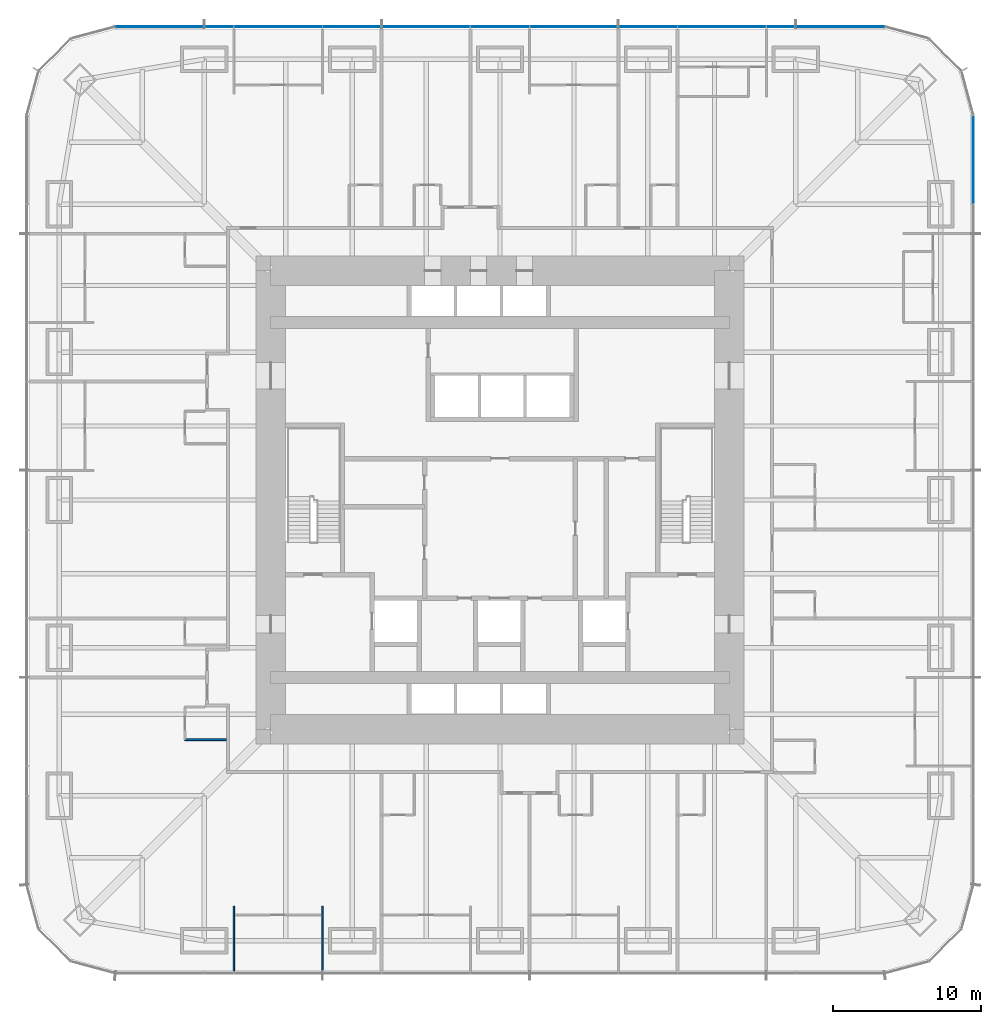
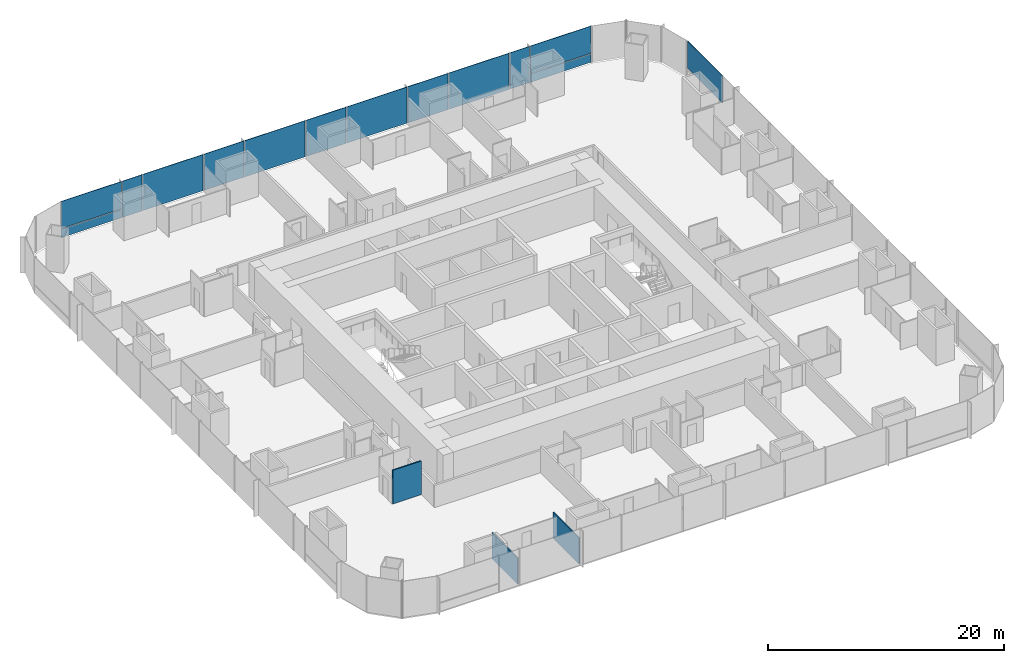
# One storey, part 14 of 20: 14 plates, 3 walls, 2 elements without a shape of their own.
"""IFC4 building model written with IfcOpenShell, lengths in metres."""

from ifc_helpers import new_model, si_unit, direction, frame, frame_2d, origin, origin_2d, place, context, subcontext, project, spatial, rectangle, extrude, material, layer, layer_set, type_object, element, aggregate, save


model = new_model("IFC4")

# Units and contexts
model_context = context("Model", 3, precision=1e-05, world=origin(), true_north=direction((0.0, 1.0)))
body_context = subcontext(model_context, "Body", "Model", "MODEL_VIEW")
ifc_project = project(units=[si_unit("LENGTHUNIT", "METRE"), si_unit("AREAUNIT", "SQUARE_METRE"), si_unit("VOLUMEUNIT", "CUBIC_METRE"), si_unit("PLANEANGLEUNIT", "RADIAN"), si_unit("MASSUNIT", "GRAM", prefix="KILO")], contexts=[model_context])

# Site, building, storey
site_placement = place(None, origin())
site = spatial("IfcSite", under=ifc_project, at=site_placement, CompositionType="ELEMENT")
building_placement = place(site_placement, origin())
building = spatial("IfcBuilding", under=site, at=building_placement, Name="Khuree Lantern Residences", CompositionType="ELEMENT")
storey_placement = place(building_placement, frame((0.0, 0.0, 28.5)))
storey = spatial("IfcBuildingStorey", under=building, at=storey_placement, Name="L06", CompositionType="ELEMENT", Elevation=28.5)

# Curtain wall, plates
ifc_material_1 = material(Name="Bronze anodised aluminium", Category="aluminium")
curtain_wall_type = type_object("IfcCurtainWallType", Name="CW-T1 TOWER FACE CURTAIN WALL", PredefinedType="USERDEFINED", material=ifc_material_1)
curtain_wall_1_placement = place(storey_placement, origin())
curtain_wall_1 = element("IfcCurtainWall", 1, at=curtain_wall_1_placement, inside=storey, type_object=curtain_wall_type, Name="L06 NORTH FACE CURTAIN WALL", ObjectType="Stick-built curtain wall", PredefinedType="USERDEFINED")
ifc_material_2 = material(Name="Bronze tinted triple glazing with a ceramic-fritted spandrel band", Category="glass")
ifc_layer_1 = layer(ifc_material_2, 0.048095703125)
ifc_layer_set_1 = layer_set([ifc_layer_1], Name="FIXED LIGHT PANEL P11")
plate_type_1 = type_object("IfcPlateType", Name="FIXED LIGHT PANEL P11", PredefinedType="CURTAIN_PANEL", material=ifc_layer_set_1)
plate_1_placement = place(storey_placement, frame((15.0, 32.0, 0.0), z_axis=(0.0, 0.0, 1.0), x_axis=(-1.0, 0.0, 0.0)))
plate_1 = element("IfcPlate", 2, at=plate_1_placement, type_object=plate_type_1, Name="L06 NORTH FACE PANEL 20.1", PredefinedType="CURTAIN_PANEL", context=body_context, shape_type="SweptSolid", body=[
    extrude(rectangle(XDim=5.93505859375, YDim=0.048095703125, at=origin_2d()), origin(), (0.0, 0.0, 1.0), 3.75),
])
plate_2_placement = place(storey_placement, frame((5.0, 32.0, 0.0), z_axis=(0.0, 0.0, 1.0), x_axis=(-1.0, 0.0, 0.0)))
plate_2 = element("IfcPlate", 3, at=plate_2_placement, type_object=plate_type_1, Name="L06 NORTH FACE PANEL 22.1", PredefinedType="CURTAIN_PANEL", context=body_context, shape_type="SweptSolid", body=[
    extrude(rectangle(XDim=5.93505859375, YDim=0.048095703125, at=origin_2d()), origin(), (0.0, 0.0, 1.0), 3.75),
])
plate_3_placement = place(storey_placement, frame((-5.0, 32.0, 0.0), z_axis=(0.0, 0.0, 1.0), x_axis=(-1.0, 0.0, 0.0)))
plate_3 = element("IfcPlate", 4, at=plate_3_placement, type_object=plate_type_1, Name="L06 NORTH FACE PANEL 24.1", PredefinedType="CURTAIN_PANEL", context=body_context, shape_type="SweptSolid", body=[
    extrude(rectangle(XDim=5.93505859375, YDim=0.048095703125, at=origin_2d()), origin(), (0.0, 0.0, 1.0), 3.75),
])
plate_4_placement = place(storey_placement, frame((-15.0, 32.0, 0.0), z_axis=(0.0, 0.0, 1.0), x_axis=(-1.0, 0.0, 0.0)))
plate_4 = element("IfcPlate", 5, at=plate_4_placement, type_object=plate_type_1, Name="L06 NORTH FACE PANEL 26.1", PredefinedType="CURTAIN_PANEL", context=body_context, shape_type="SweptSolid", body=[
    extrude(rectangle(XDim=5.93505859375, YDim=0.048095703125, at=origin_2d()), origin(), (0.0, 0.0, 1.0), 3.75),
])
ifc_material_3 = material(Name="Bronze tinted triple glazing, two aluminium-framed sashes in one frame", Category="aluminium")
ifc_layer_2 = layer(ifc_material_3, 0.048095703125)
ifc_layer_set_2 = layer_set([ifc_layer_2], Name="SASH PAIR PANEL P12")
plate_type_2 = type_object("IfcPlateType", Name="SASH PAIR PANEL P12", PredefinedType="CURTAIN_PANEL", material=ifc_layer_set_2)
plate_5_placement = place(storey_placement, frame((10.0, 32.0, 0.0), z_axis=(0.0, 0.0, 1.0), x_axis=(-1.0, 0.0, 0.0)))
plate_5 = element("IfcPlate", 6, at=plate_5_placement, type_object=plate_type_2, Name="L06 NORTH FACE PANEL 21.1", PredefinedType="CURTAIN_PANEL", context=body_context, shape_type="SweptSolid", body=[
    extrude(rectangle(XDim=3.93505859375, YDim=0.048095703125, at=origin_2d()), origin(), (0.0, 0.0, 1.0), 3.75),
])
plate_6_placement = place(storey_placement, frame((0.0, 32.0, 0.0), z_axis=(0.0, 0.0, 1.0), x_axis=(-1.0, 0.0, 0.0)))
plate_6 = element("IfcPlate", 7, at=plate_6_placement, type_object=plate_type_2, Name="L06 NORTH FACE PANEL 23.1", PredefinedType="CURTAIN_PANEL", context=body_context, shape_type="SweptSolid", body=[
    extrude(rectangle(XDim=3.93505859375, YDim=0.048095703125, at=origin_2d()), origin(), (0.0, 0.0, 1.0), 3.75),
])
plate_7_placement = place(storey_placement, frame((-10.0, 32.0, 0.0), z_axis=(0.0, 0.0, 1.0), x_axis=(-1.0, 0.0, 0.0)))
plate_7 = element("IfcPlate", 8, at=plate_7_placement, type_object=plate_type_2, Name="L06 NORTH FACE PANEL 25.1", PredefinedType="CURTAIN_PANEL", context=body_context, shape_type="SweptSolid", body=[
    extrude(rectangle(XDim=3.93505859375, YDim=0.048095703125, at=origin_2d()), origin(), (0.0, 0.0, 1.0), 3.75),
])
ifc_material_4 = material(Name="Bronze tinted triple glazing, aluminium-framed sash", Category="aluminium")
ifc_layer_3 = layer(ifc_material_4, 0.048095703125)
ifc_layer_set_3 = layer_set([ifc_layer_3], Name="SASH PANEL P3")
plate_type_3 = type_object("IfcPlateType", Name="SASH PANEL P3", PredefinedType="CURTAIN_PANEL", material=ifc_layer_set_3)
plate_8_placement = place(storey_placement, frame((19.0, 32.0, 0.0), z_axis=(0.0, 0.0, 1.0), x_axis=(-1.0, 0.0, 0.0)))
plate_8 = element("IfcPlate", 9, at=plate_8_placement, type_object=plate_type_3, Name="L06 NORTH FACE PANEL 19.1", PredefinedType="CURTAIN_PANEL", context=body_context, shape_type="SweptSolid", body=[
    extrude(rectangle(XDim=1.93505859375, YDim=0.048095703125, at=origin_2d()), origin(), (0.0, 0.0, 1.0), 3.75),
])
plate_9_placement = place(storey_placement, frame((-19.0, 32.0, 0.0), z_axis=(0.0, 0.0, 1.0), x_axis=(-1.0, 0.0, 0.0)))
plate_9 = element("IfcPlate", 10, at=plate_9_placement, type_object=plate_type_3, Name="L06 NORTH FACE PANEL 27.1", PredefinedType="CURTAIN_PANEL", context=body_context, shape_type="SweptSolid", body=[
    extrude(rectangle(XDim=1.93505859375, YDim=0.048095703125, at=origin_2d()), origin(), (0.0, 0.0, 1.0), 3.75),
])
ifc_material_5 = material(Name="Bronze anodised aluminium insulated spandrel", Category="aluminium")
ifc_layer_4 = layer(ifc_material_5, 0.06005859375)
ifc_layer_set_4 = layer_set([ifc_layer_4], Name="SPANDREL PANEL P2")
plate_type_4 = type_object("IfcPlateType", Name="SPANDREL PANEL P2", PredefinedType="CURTAIN_PANEL", material=ifc_layer_set_4)
plate_10_placement = place(storey_placement, frame((22.997802734375, 32.0, 0.0), z_axis=(0.0, 0.0, 1.0), x_axis=(-1.0, 0.0, 0.0)))
plate_10 = element("IfcPlate", 11, at=plate_10_placement, type_object=plate_type_4, Name="L06 NORTH FACE PANEL 18.1", PredefinedType="CURTAIN_PANEL", context=body_context, shape_type="SweptSolid", body=[
    extrude(rectangle(XDim=5.9306640625, YDim=0.06005859375, at=origin_2d()), origin(), (0.0, 0.0, 1.0), 0.867431640625),
])
plate_11_placement = place(storey_placement, frame((-22.997802734375, 32.0, 0.0), z_axis=(0.0, 0.0, 1.0), x_axis=(-1.0, 0.0, 0.0)))
plate_11 = element("IfcPlate", 12, at=plate_11_placement, type_object=plate_type_4, Name="L06 NORTH FACE PANEL 28.1", PredefinedType="CURTAIN_PANEL", context=body_context, shape_type="SweptSolid", body=[
    extrude(rectangle(XDim=5.9306640625, YDim=0.06005859375, at=origin_2d()), origin(), (0.0, 0.0, 1.0), 0.867431640625),
])

# Curtain wall, plate
curtain_wall_2_placement = place(storey_placement, origin())
curtain_wall_2 = element("IfcCurtainWall", 13, at=curtain_wall_2_placement, inside=storey, type_object=curtain_wall_type, Name="L06 EAST FACE CURTAIN WALL", ObjectType="Stick-built curtain wall", PredefinedType="USERDEFINED")
ifc_material_6 = material(Name="Bronze tinted triple glazing", Category="glass")
ifc_layer_5 = layer(ifc_material_6, 0.048095703125)
ifc_layer_set_5 = layer_set([ifc_layer_5], Name="VISION PANEL P1")
plate_type_5 = type_object("IfcPlateType", Name="VISION PANEL P1", PredefinedType="CURTAIN_PANEL", material=ifc_layer_set_5)
plate_12_placement = place(storey_placement, frame((32.0, 22.998291015625, 0.9326171875), z_axis=(0.0, 0.0, 1.0), x_axis=(0.0, 1.0, 0.0)))
plate_12 = element("IfcPlate", 14, at=plate_12_placement, type_object=plate_type_5, Name="L06 EAST FACE PANEL 14.2", PredefinedType="CURTAIN_PANEL", context=body_context, shape_type="SweptSolid", body=[
    extrude(rectangle(XDim=5.931640625, YDim=0.048095703125, at=origin_2d()), origin(), (0.0, 0.0, 1.0), 2.8173828125),
])
aggregate(curtain_wall_2, [plate_12])

# Plate
plate_13_placement = place(storey_placement, frame((22.998291015625, 32.0, 0.9326171875), z_axis=(0.0, 0.0, 1.0), x_axis=(-1.0, 0.0, 0.0)))
plate_13 = element("IfcPlate", 15, at=plate_13_placement, type_object=plate_type_5, Name="L06 NORTH FACE PANEL 18.2", PredefinedType="CURTAIN_PANEL", context=body_context, shape_type="SweptSolid", body=[
    extrude(rectangle(XDim=5.931640625, YDim=0.048095703125, at=origin_2d()), origin(), (0.0, 0.0, 1.0), 2.8173828125),
])

plate_14_placement = place(storey_placement, frame((-22.998291015625, 32.0, 0.9326171875), z_axis=(0.0, 0.0, 1.0), x_axis=(-1.0, 0.0, 0.0)))
plate_14 = element("IfcPlate", 16, at=plate_14_placement, type_object=plate_type_5, Name="L06 NORTH FACE PANEL 28.2", PredefinedType="CURTAIN_PANEL", context=body_context, shape_type="SweptSolid", body=[
    extrude(rectangle(XDim=5.931640625, YDim=0.048095703125, at=origin_2d()), origin(), (0.0, 0.0, 1.0), 2.8173828125),
])

aggregate(curtain_wall_1, [plate_10, plate_13, plate_8, plate_1, plate_5, plate_2, plate_6, plate_3, plate_7, plate_4, plate_9, plate_11, plate_14])

# Walls
ifc_material_7 = material(Name="Moisture-resistant gypsum board on steel studs", Category="steel")
ifc_layer_6 = layer(ifc_material_7, 0.125)
ifc_layer_set_6 = layer_set([ifc_layer_6], Name="BATHROOM WALL BTW125")
wall_type_1 = type_object("IfcWallType", Name="BATHROOM WALL BTW125", PredefinedType="PARTITIONING", material=ifc_layer_set_6)
wall_placement = place(storey_placement, frame((-18.5, -16.199951171875, 0.0), z_axis=(0.0, 0.0, 1.0), x_axis=(-1.0, 0.0, 0.0)))
element("IfcWall", 17, at=wall_placement, inside=storey, type_object=wall_type_1, Name="L06 BATHROOM WALL 10", PredefinedType="PARTITIONING", context=body_context, shape_type="SweptSolid", body=[
    extrude(rectangle(XDim=2.800048828125, YDim=0.125, at=frame_2d((1.39990234375, 0.0))), origin(), (0.0, 0.0, 1.0), 3.5),
])
ifc_material_8 = material(Name="Gypsum board on steel studs", Category="steel")
ifc_layer_7 = layer(ifc_material_8, 0.10009765625)
ifc_layer_set_7 = layer_set([ifc_layer_7], Name="PARTITION PT100")
wall_type_2 = type_object("IfcWallType", Name="PARTITION PT100", PredefinedType="PARTITIONING", material=ifc_layer_set_7)
for number, where, z_axis, x_axis, name in (
    (18, (-18.0, -27.449951171875, 0.0), (0.0, 0.0, 1.0), (0.0, -1.0, 0.0), "L06 PARTITION 10"),
    (19, (-12.0, -27.449951171875, 0.0), (0.0, 0.0, 1.0), (0.0, -1.0, 0.0), "L06 PARTITION 10"),
):
    element("IfcWall", number, at=place(storey_placement, frame(where, z_axis=z_axis, x_axis=x_axis)), inside=storey, type_object=wall_type_2, Name=name, PredefinedType="PARTITIONING", context=body_context, shape_type="SweptSolid", body=[
        extrude(rectangle(XDim=4.400146484375, YDim=0.10009765625, at=frame_2d((2.2001953125, 0.0))), origin(), (0.0, 0.0, 1.0), 2.7099609375),
    ])

save(model, "model.ifc")
